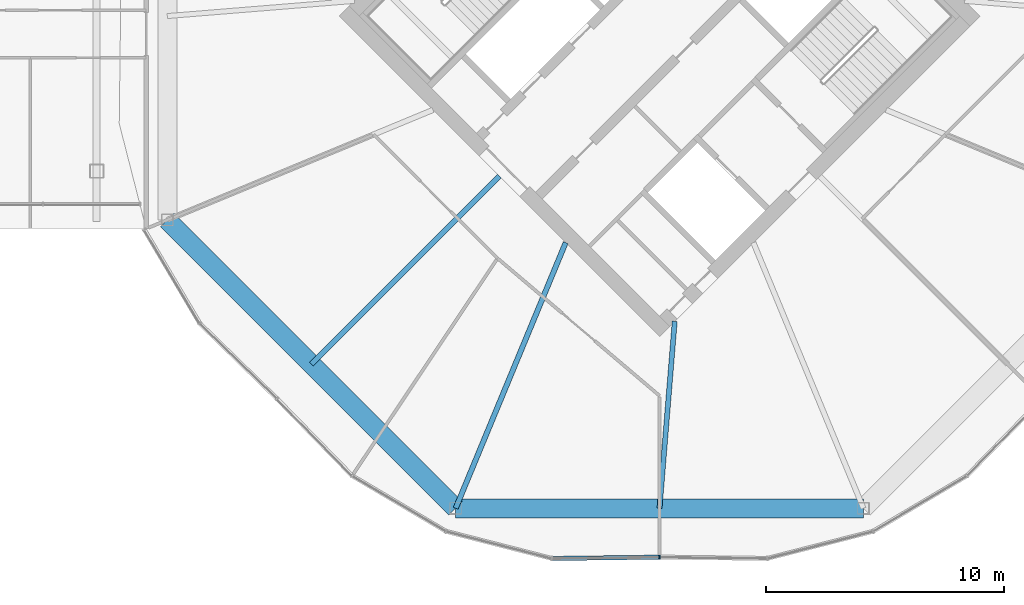
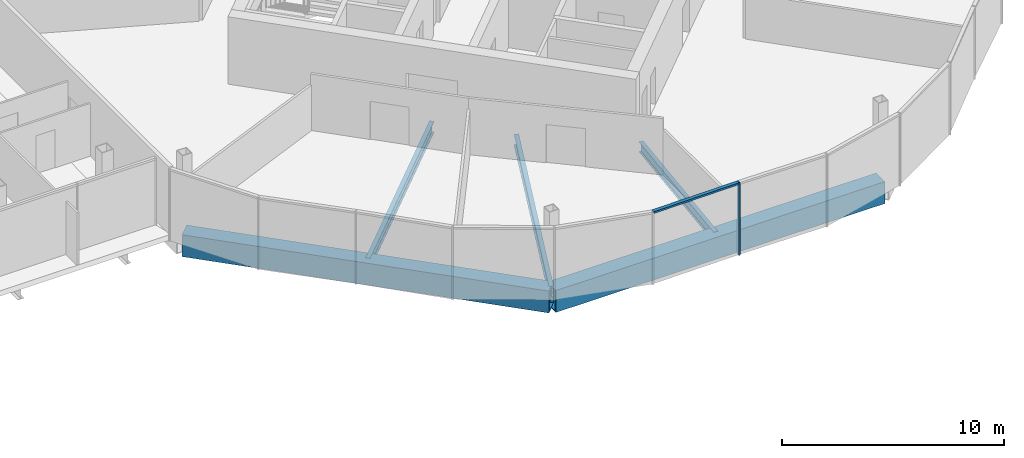
# One storey, part 12 of 25: 5 beams, 2 members, 1 element without a shape of its own.
"""IFC4 building model written with IfcOpenShell, lengths in metres."""

import ifcopenshell
import ifcopenshell.guid

model = None  # the IFC model being written
_history = None  # IfcOwnerHistory: only IFC2X3 demands one
_inside = {}  # id of a spatial element -> (the spatial element, [elements in it])
_under = {}  # id of a project, library or spatial element -> (it, [spatial elements below it])
_declared = {}  # id of a project -> (the project, [libraries it declares])
_typed = {}  # id of a type object -> (the type object, [elements of that type])
_made_of = {}  # id of a material, layer set ... -> (it, [elements and type objects made of it])


def new_model(schema):
    """Start an empty IFC model of exactly this schema.

    Asked for "IFC4X3", IfcOpenShell would pick the latest addendum, in which some entities
    have other attributes; the version numbers below select the first issue.
    IFC2X3 requires an IfcOwnerHistory on every rooted entity: one is made here for all.
    """
    global model, _history
    if schema == "IFC4X3":
        model = ifcopenshell.file(schema_version=(4, 3, 0, 0))
    else:
        model = ifcopenshell.file(schema=schema)
    _inside.clear()
    _under.clear()
    _declared.clear()
    _typed.clear()
    _made_of.clear()
    _history = None
    if model.schema == "IFC2X3":
        org = make("IfcOrganization", Name="unknown")
        user = make(
            "IfcPersonAndOrganization",
            ThePerson=make("IfcPerson", FamilyName="unknown"),
            TheOrganization=org,
        )
        app = make(
            "IfcApplication",
            ApplicationDeveloper=org,
            Version="unknown",
            ApplicationFullName="unknown",
            ApplicationIdentifier="unknown",
        )
        _history = make(
            "IfcOwnerHistory",
            OwningUser=user,
            OwningApplication=app,
            ChangeAction="ADDED",
            CreationDate=0,
        )
    return model


def make(cls, **values):
    """One entity of the class cls with the attributes given. An attribute that is None is left unset."""
    return model.create_entity(
        cls, **{name: value for name, value in values.items() if value is not None}
    )


def rooted(cls, **values):
    """An entity with a GlobalId (a new one), such as an element, a storey or a relation."""
    return make(cls, GlobalId=ifcopenshell.guid.new(), OwnerHistory=_history, **values)


def si_unit(unit_type, name, prefix=None):
    """IfcSIUnit, for example si_unit("LENGTHUNIT", "METRE", prefix="MILLI")."""
    return make("IfcSIUnit", UnitType=unit_type, Prefix=prefix, Name=name)


def assignment(units):
    """IfcUnitAssignment: the units of a project."""
    return None if units is None else make("IfcUnitAssignment", Units=units)


def point(xyz):
    """IfcCartesianPoint."""
    return None if xyz is None else make("IfcCartesianPoint", Coordinates=xyz)


def direction(xyz):
    """IfcDirection."""
    return None if xyz is None else make("IfcDirection", DirectionRatios=xyz)


def frame(location, z_axis=None, x_axis=None):
    """IfcAxis2Placement3D, a coordinate frame: its origin and axes. An axis left out is left unset."""
    return make(
        "IfcAxis2Placement3D",
        Location=point(location),
        Axis=direction(z_axis),
        RefDirection=direction(x_axis),
    )


def frame_2d(location, x_axis=None):
    """IfcAxis2Placement2D, a coordinate frame in the plane: its origin and x axis."""
    return make(
        "IfcAxis2Placement2D", Location=point(location), RefDirection=direction(x_axis)
    )


def origin():
    """The frame at (0, 0, 0) with its axes left unset."""
    return frame((0.0, 0.0, 0.0))


def origin_2d():
    """The frame at (0, 0) in the plane with its x axis left unset."""
    return frame_2d((0.0, 0.0))


def place(relative_to, where):
    """IfcLocalPlacement: puts the frame where relative to a parent placement (None: the world)."""
    return make(
        "IfcLocalPlacement", PlacementRelTo=relative_to, RelativePlacement=where
    )


def context(
    kind, dimensions, precision=None, world=None, true_north=None, identifier=None
):
    """IfcGeometricRepresentationContext, for example the 3D "Model" context."""
    return make(
        "IfcGeometricRepresentationContext",
        ContextIdentifier=identifier,
        ContextType=kind,
        CoordinateSpaceDimension=dimensions,
        Precision=precision,
        WorldCoordinateSystem=world,
        TrueNorth=true_north,
    )


def subcontext(parent, identifier, kind, view, scale=None):
    """IfcGeometricRepresentationSubContext, for example "Body" below "Model"."""
    return make(
        "IfcGeometricRepresentationSubContext",
        ContextIdentifier=identifier,
        ContextType=kind,
        ParentContext=parent,
        TargetScale=scale,
        TargetView=view,
    )


def project(units=None, contexts=None):
    """IfcProject with its units and contexts."""
    return rooted(
        "IfcProject",
        Name="project",
        RepresentationContexts=contexts,
        UnitsInContext=assignment(units),
    )


def spatial(cls, under=None, at=None, **own):
    """A site, building, storey or space (cls), placed at a placement, below another one or the project."""
    s = rooted(cls, ObjectPlacement=at, **own)
    if under is not None:
        _under.setdefault(under.id(), (under, []))[1].append(s)
    return s


def profile(cls, at=None, kind="AREA", **sizes):
    """A parametric profile (cls). Its sizes go by their IFC names, for example OverallWidth=200.0."""
    return make(cls, ProfileType=kind, Position=at, **sizes)


def rectangle(**sizes):
    """IfcRectangleProfileDef."""
    return profile("IfcRectangleProfileDef", **sizes)


def hollow_rectangle(**sizes):
    """IfcRectangleHollowProfileDef."""
    return profile("IfcRectangleHollowProfileDef", **sizes)


def i_section(**sizes):
    """IfcIShapeProfileDef."""
    return profile("IfcIShapeProfileDef", **sizes)


def extrude(swept, where, along, depth):
    """IfcExtrudedAreaSolid: the profile swept, set in the frame where, extruded along a direction by depth."""
    return make(
        "IfcExtrudedAreaSolid",
        SweptArea=swept,
        Position=where,
        ExtrudedDirection=direction(along),
        Depth=depth,
    )


def shape(context_of_items, identifier, shape_type, items):
    """IfcShapeRepresentation: the items that make up one representation, for example the "Body"."""
    return make(
        "IfcShapeRepresentation",
        ContextOfItems=context_of_items,
        RepresentationIdentifier=identifier,
        RepresentationType=shape_type,
        Items=items,
    )


def material(Name=None, Category=None):
    """IfcMaterial."""
    return make("IfcMaterial", Name=Name, Category=Category)


def material_profile(
    of_material, cross_section, Name=None, Category=None, Priority=None
):
    """IfcMaterialProfile: a cross section and its material."""
    return make(
        "IfcMaterialProfile",
        Name=Name,
        Material=of_material,
        Profile=cross_section,
        Priority=Priority,
        Category=Category,
    )


def profile_set(profiles, Name=None, composite=None):
    """IfcMaterialProfileSet."""
    return make(
        "IfcMaterialProfileSet",
        Name=Name,
        MaterialProfiles=profiles,
        CompositeProfile=composite,
    )


def made_of(thing, what):
    """Note that an element or type object is made of a material, layer set ...; save() writes the relation."""
    if what is not None:
        _made_of.setdefault(what.id(), (what, []))[1].append(thing)
    return thing


def type_object(cls, material=None, **own):
    """A type object (cls), such as IfcWallType, which elements share."""
    return made_of(rooted(cls, **own), material)


def element(
    cls,
    number,
    at=None,
    inside=None,
    cuts=None,
    type_object=None,
    material=None,
    context=None,
    identifier="Body",
    shape_type=None,
    held_by="IfcProductDefinitionShape",
    body=None,
    shapes=None,
    **own,
):
    """One element of the class cls, such as IfcWall. Its Tag is "e" and its number.

    at: its placement. inside: the storey or other place that contains it. cuts: it is an
    opening in that element (IfcRelVoidsElement). A single representation is given by context,
    identifier, shape_type and body (its items); several are given by shapes. held_by: the class
    of the entity that holds the representations. save() writes the other relations.
    """
    e = rooted(cls, Tag="e%d" % number, ObjectPlacement=at, **own)
    if body is not None:
        shapes = [shape(context, identifier, shape_type, body)]
    if shapes is not None:
        e.Representation = make(held_by, Representations=shapes)
    if inside is not None:
        _inside.setdefault(inside.id(), (inside, []))[1].append(e)
    if cuts is not None:
        rooted(
            "IfcRelVoidsElement", RelatingBuildingElement=cuts, RelatedOpeningElement=e
        )
    if type_object is not None:
        _typed.setdefault(type_object.id(), (type_object, []))[1].append(e)
    return made_of(e, material)


def aggregate(whole, parts):
    """IfcRelAggregates: a whole, such as a stair, and the parts it consists of."""
    return rooted("IfcRelAggregates", RelatingObject=whole, RelatedObjects=parts)


def save(model, path):
    """Write the relations noted so far, then the file.

    IfcRelAggregates (storeys below a building ...), IfcRelContainedInSpatialStructure (elements
    in a storey), IfcRelDefinesByType, IfcRelAssociatesMaterial and IfcRelDeclares: one each for
    every whole, place, type object, material and project.
    """
    for whole, parts in _under.values():
        aggregate(whole, parts)
    for where, things in _inside.values():
        rooted(
            "IfcRelContainedInSpatialStructure",
            RelatedElements=things,
            RelatingStructure=where,
        )
    for kind, things in _typed.values():
        rooted("IfcRelDefinesByType", RelatedObjects=things, RelatingType=kind)
    for what, things in _made_of.values():
        rooted("IfcRelAssociatesMaterial", RelatedObjects=things, RelatingMaterial=what)
    for by, libraries in _declared.values():
        rooted("IfcRelDeclares", RelatingContext=by, RelatedDefinitions=libraries)
    model.write(path)


model = new_model("IFC4")

# Units and contexts
model_context = context("Model", 3, precision=1e-05, world=origin(), true_north=direction((0.0, 1.0)))
body_context = subcontext(model_context, "Body", "Model", "MODEL_VIEW")
ifc_project = project(units=[si_unit("LENGTHUNIT", "METRE"), si_unit("AREAUNIT", "SQUARE_METRE"), si_unit("VOLUMEUNIT", "CUBIC_METRE"), si_unit("PLANEANGLEUNIT", "RADIAN"), si_unit("MASSUNIT", "GRAM", prefix="KILO")], contexts=[model_context])

# Site, building, storey
site_placement = place(None, origin())
site = spatial("IfcSite", under=ifc_project, at=site_placement, CompositionType="ELEMENT")
building_placement = place(site_placement, origin())
building = spatial("IfcBuilding", under=site, at=building_placement, Name="Ogive Gate Towers", CompositionType="ELEMENT")
storey_placement = place(building_placement, frame((0.0, 0.0, 144.800048828125)))
storey = spatial("IfcBuildingStorey", under=building, at=storey_placement, Name="L34", CompositionType="ELEMENT", Elevation=144.800048828125)

# Beams
ifc_material_1 = material(Name="Steel SM460", Category="steel")
ifc_material_profile_1 = material_profile(ifc_material_1, hollow_rectangle(XDim=0.800048828125, YDim=1.199951171875, WallThickness=0.050048828125, at=origin_2d()), Name="BX 1200x800x50")
ifc_profile_set_1 = profile_set([ifc_material_profile_1], Name="Steel SM460")
beam_type_1 = type_object("IfcBeamType", Name="Edge girder BX 1200x800x50", PredefinedType="BEAM", material=ifc_profile_set_1)
beam_1_placement = place(storey_placement, frame((15.360595703125, -8.549072265625, -0.900146484375), z_axis=(0.707106781187, -0.707106781187, 0.0), x_axis=(0.707106781187, 0.707106781187, 0.0)))
element("IfcBeam", 1, at=beam_1_placement, inside=storey, type_object=beam_type_1, Name="T2/L34/SBM017", PredefinedType="BEAM", context=body_context, shape_type="SweptSolid", body=[
    extrude(hollow_rectangle(XDim=0.800048828125, YDim=1.199951171875, WallThickness=0.050048828125, at=origin_2d()), origin(), (0.0, 0.0, 1.0), 17.098388671875),
])
beam_2_placement = place(storey_placement, frame((27.450927734375, -20.639404296875, -0.900146484375), z_axis=(1.0, 0.0, 0.0), x_axis=(0.0, 1.0, 0.0)))
element("IfcBeam", 2, at=beam_2_placement, inside=storey, type_object=beam_type_1, Name="T2/L34/SBM018", PredefinedType="BEAM", context=body_context, shape_type="SweptSolid", body=[
    extrude(hollow_rectangle(XDim=0.800048828125, YDim=1.199951171875, WallThickness=0.050048828125, at=origin_2d()), origin(), (0.0, 0.0, 1.0), 17.09814453125),
])
ifc_material_2 = material(Name="Steel SM355", Category="steel")
ifc_material_profile_2 = material_profile(ifc_material_2, i_section(OverallWidth=0.2099609375, OverallDepth=0.550048828125, WebThickness=0.010986328125, FlangeThickness=0.01708984375, FilletRadius=0.02392578125, at=origin_2d()), Name="IPE 550")
ifc_profile_set_2 = profile_set([ifc_material_profile_2], Name="Steel SM355")
beam_type_2 = type_object("IfcBeamType", Name="Radial floor beam IPE 550", PredefinedType="BEAM", material=ifc_profile_set_2)
beam_3_placement = place(storey_placement, frame((36.636474609375, -12.798583984375, -0.574951171875), z_axis=(-0.080908365468, -0.996721544062, 0.0), x_axis=(0.996721544062, -0.080908365468, 0.0)))
element("IfcBeam", 3, at=beam_3_placement, inside=storey, type_object=beam_type_2, Name="T2/L34/SBM004", PredefinedType="BEAM", context=body_context, shape_type="SweptSolid", body=[
    extrude(i_section(OverallWidth=0.2099609375, OverallDepth=0.550048828125, WebThickness=0.010986328125, FlangeThickness=0.01708984375, FilletRadius=0.02392578125, at=origin_2d()), origin(), (0.0, 0.0, 1.0), 7.86669921875),
])
ifc_material_profile_3 = material_profile(ifc_material_2, i_section(OverallWidth=0.219970703125, OverallDepth=0.60009765625, WebThickness=0.011962890625, FlangeThickness=0.01904296875, FilletRadius=0.02392578125, at=origin_2d()), Name="IPE 600")
ifc_profile_set_3 = profile_set([ifc_material_profile_3], Name="Steel SM355")
beam_type_3 = type_object("IfcBeamType", Name="Radial floor beam IPE 600", PredefinedType="BEAM", material=ifc_profile_set_3)
beam_4_placement = place(storey_placement, frame((29.282470703125, -6.717529296875, -0.60009765625), z_axis=(-0.707106781187, -0.707106781187, 0.0), x_axis=(0.707106781187, -0.707106781187, 0.0)))
element("IfcBeam", 4, at=beam_4_placement, inside=storey, type_object=beam_type_3, Name="T2/L34/SBM002", PredefinedType="BEAM", context=body_context, shape_type="SweptSolid", body=[
    extrude(i_section(OverallWidth=0.219970703125, OverallDepth=0.60009765625, WebThickness=0.011962890625, FlangeThickness=0.01904296875, FilletRadius=0.02392578125, at=origin_2d()), origin(), (0.0, 0.0, 1.0), 11.139404296875),
])
beam_5_placement = place(storey_placement, frame((32.06494140625, -9.5, -0.60009765625), z_axis=(-0.382677863518, -0.923881839184, 0.0), x_axis=(0.923881839184, -0.382677863518, 0.0)))
element("IfcBeam", 5, at=beam_5_placement, inside=storey, type_object=beam_type_3, Name="T2/L34/SBM003", PredefinedType="BEAM", context=body_context, shape_type="SweptSolid", body=[
    extrude(i_section(OverallWidth=0.219970703125, OverallDepth=0.60009765625, WebThickness=0.011962890625, FlangeThickness=0.01904296875, FilletRadius=0.02392578125, at=origin_2d()), origin(), (0.0, 0.0, 1.0), 12.05712890625),
])

# Curtain wall, members
ifc_material_3 = material(Name="Pale metal aluminium", Category="aluminium")
curtain_wall_type = type_object("IfcCurtainWallType", Name="Tower unitised wall, high zone", PredefinedType="NOTDEFINED", material=ifc_material_3)
curtain_wall_placement = place(storey_placement, origin())
curtain_wall = element("IfcCurtainWall", 6, at=curtain_wall_placement, inside=storey, type_object=curtain_wall_type, Name="CW2 T2 ECW06", PredefinedType="NOTDEFINED")
ifc_material_profile_4 = material_profile(ifc_material_3, rectangle(XDim=0.179931640625, YDim=0.06005859375, at=origin_2d()), Name="60 x 180 aluminium box")
ifc_profile_set_4 = profile_set([ifc_material_profile_4], Name="Pale metal aluminium")
member_type_1 = type_object("IfcMemberType", Name="Tower unitised wall, high zone mullion 60 x 180", PredefinedType="MULLION", material=ifc_profile_set_4)
member_1_placement = place(storey_placement, frame((36.0, -22.68994140625, -0.300048828125), z_axis=(0.0, 0.0, 1.0), x_axis=(0.012461328328, -0.999922354634, 0.0)))
member_1 = element("IfcMember", 7, at=member_1_placement, type_object=member_type_1, Name="CW2 mullion", PredefinedType="MULLION", context=body_context, shape_type="SweptSolid", body=[
    extrude(rectangle(XDim=0.179931640625, YDim=0.06005859375, at=origin_2d()), origin(), (0.0, 0.0, 1.0), 4.0),
])
ifc_material_profile_5 = material_profile(ifc_material_3, rectangle(XDim=0.179931640625, YDim=0.10009765625, at=origin_2d()), Name="100 x 180 aluminium box")
ifc_profile_set_5 = profile_set([ifc_material_profile_5], Name="Pale metal aluminium")
member_type_2 = type_object("IfcMemberType", Name="Tower unitised wall, high zone transom 100 x 180", PredefinedType="USERDEFINED", material=ifc_profile_set_5)
member_2_placement = place(storey_placement, frame((31.51123046875, -22.745849609375, 3.64990234375), z_axis=(0.999922762686, 0.012428542251, 0.0), x_axis=(-0.012428542251, 0.999922762686, 0.0)))
member_2 = element("IfcMember", 8, at=member_2_placement, type_object=member_type_2, Name="CW2 transom", ObjectType="TRANSOM", PredefinedType="USERDEFINED", context=body_context, shape_type="SweptSolid", body=[
    extrude(rectangle(XDim=0.179931640625, YDim=0.10009765625, at=origin_2d()), origin(), (0.0, 0.0, 1.0), 4.458984375),
])
aggregate(curtain_wall, [member_1, member_2])

save(model, "model.ifc")
